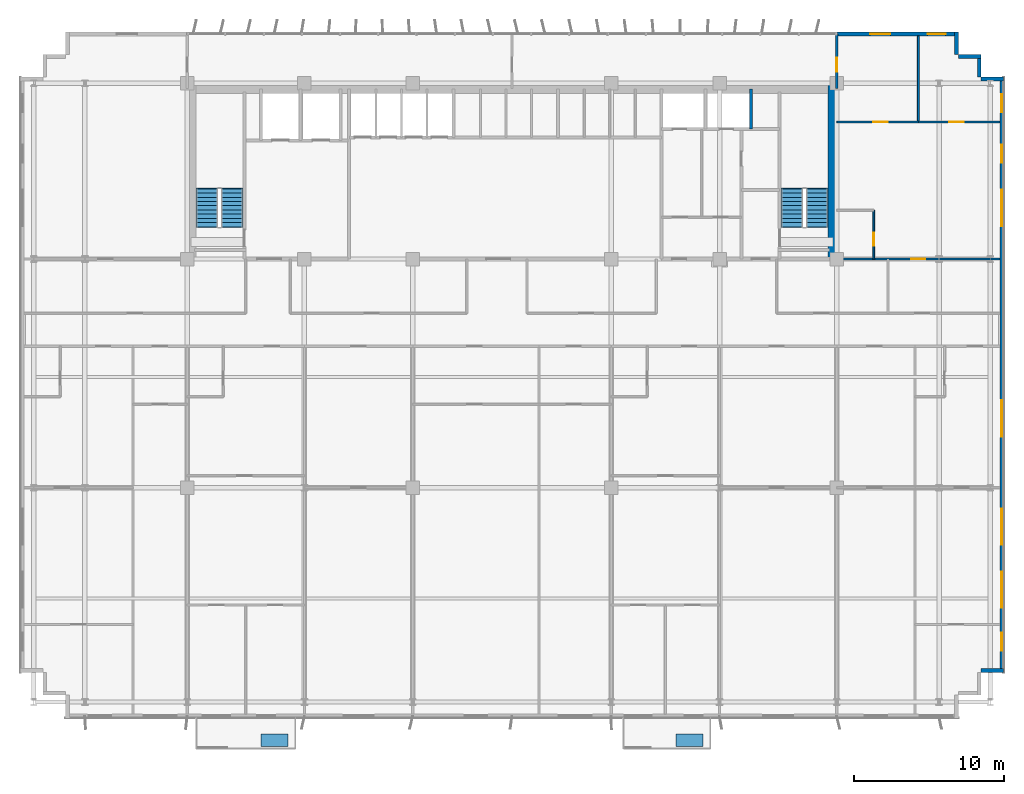
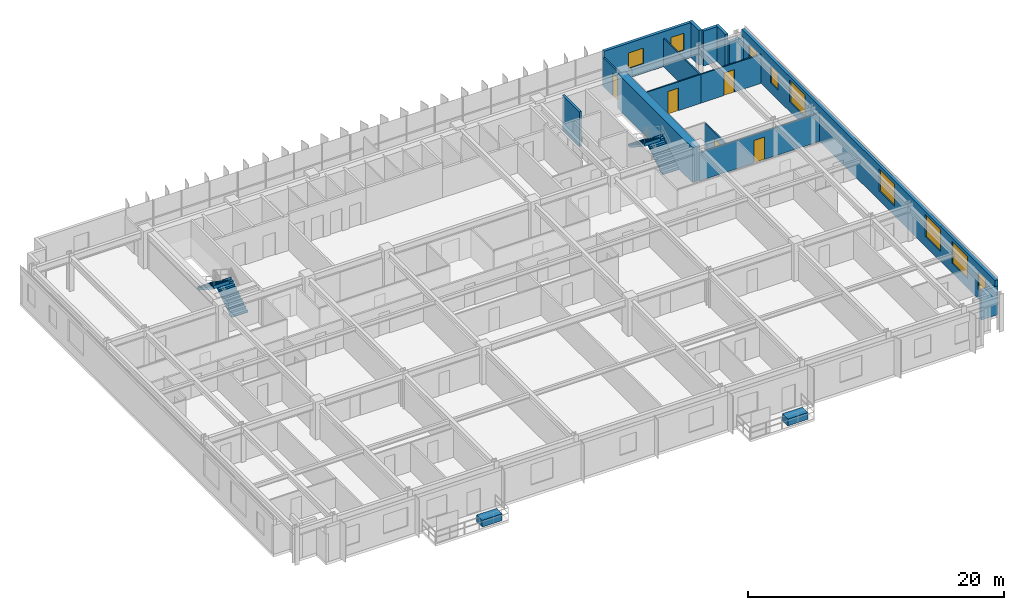
# One storey, part 19 of 22: 15 walls, 9 windows, 5 doors, 4 stair flights, 2 discrete accessories, 14 openings, 2 elements without a shape of their own.
"""IFC4 building model written with IfcOpenShell, lengths in metres."""

from ifc_helpers import new_model, si_unit, direction, frame, frame_2d, origin, origin_2d, place, context, subcontext, project, spatial, polyline, rectangle, outline, extrude, source, transform, mapped, material, layer, layer_set, type_object, element, fill, aggregate, save


model = new_model("IFC4")

# Units and contexts
model_context = context("Model", 3, precision=1e-05, world=origin(), true_north=direction((0.0, 1.0)))
body_context = subcontext(model_context, "Body", "Model", "MODEL_VIEW")
ifc_project = project(units=[si_unit("LENGTHUNIT", "METRE"), si_unit("AREAUNIT", "SQUARE_METRE"), si_unit("VOLUMEUNIT", "CUBIC_METRE"), si_unit("PLANEANGLEUNIT", "RADIAN"), si_unit("MASSUNIT", "GRAM", prefix="KILO")], contexts=[model_context])

# Site, building, storey
site_placement = place(None, origin())
site = spatial("IfcSite", under=ifc_project, at=site_placement, CompositionType="ELEMENT")
building_placement = place(site_placement, origin())
building = spatial("IfcBuilding", under=site, at=building_placement, Name="Trelvane Seafront Commons", CompositionType="ELEMENT")
storey_placement = place(building_placement, frame((0.0, 0.0, 45.10009765625)))
storey = spatial("IfcBuildingStorey", under=building, at=storey_placement, Name="L11", CompositionType="ELEMENT", Elevation=45.10009765625)

# Wall, openings, windows
ifc_material_1 = material(Name="Precast concrete C40/50", Category="concrete")
ifc_layer_1 = layer(ifc_material_1, 0.260009765625, Name="ARCH-WALL-EXT260")
ifc_layer_set_1 = layer_set([ifc_layer_1], Name="Precast concrete C40/50")
wall_type_1 = type_object("IfcWallType", Name="ARCH-WALL-EXT260", PredefinedType="SOLIDWALL", material=ifc_layer_set_1)
wall_1_placement = place(storey_placement, frame((58.800048828125, 48.3701171875, 0.0), z_axis=(0.0, 0.0, 1.0), x_axis=(1.0, 0.0, 0.0)))
wall_1 = element("IfcWall", 1, at=wall_1_placement, inside=storey, type_object=wall_type_1, Name="EW-L11-NE-0172", PredefinedType="SOLIDWALL", context=body_context, shape_type="SweptSolid", body=[
    extrude(rectangle(XDim=8.0, YDim=0.260009765625, at=frame_2d((4.0, 0.0))), origin(), (0.0, 0.0, 1.0), 3.33984375),
])
opening_1_placement = place(wall_1_placement, frame((2.208984375, 0.0, 0.89990234375)))
opening_1 = element("IfcOpeningElement", 2, at=opening_1_placement, cuts=wall_1, Name="Opening W09", PredefinedType="OPENING", context=body_context, shape_type="SweptSolid", body=[
    extrude(rectangle(XDim=1.35009765625, YDim=1.5, at=frame_2d((0.675048828125, 0.75))), frame((0.0, 0.139892578125, 0.0), z_axis=(0.0, -1.0, 0.0), x_axis=(1.0, 0.0, 0.0)), (0.0, 0.0, 1.0), 0.280029296875),
])
opening_2_placement = place(wall_1_placement, frame((6.032958984375, 0.0, 0.89990234375)))
opening_2 = element("IfcOpeningElement", 3, at=opening_2_placement, cuts=wall_1, Name="Opening W05", PredefinedType="OPENING", context=body_context, shape_type="SweptSolid", body=[
    extrude(rectangle(XDim=1.199951171875, YDim=1.64990234375, at=frame_2d((0.60009765625, 0.824951171875))), frame((0.0, 0.139892578125, 0.0), z_axis=(0.0, -1.0, 0.0), x_axis=(1.0, 0.0, 0.0)), (0.0, 0.0, 1.0), 0.280029296875),
])
ifc_material_2 = material(Name="Low-E coastal double glazing", Category="glass")
window_type_1 = type_object("IfcWindowType", Name="ARCH-WIN-W09", PartitioningType="SINGLE_PANEL", PredefinedType="WINDOW", material=ifc_material_2)
shared_shape_1 = source(origin(), body_context, "Body", "SweptSolid", [
    extrude(rectangle(XDim=1.35009765625, YDim=1.5, at=frame_2d((0.675048828125, 0.75))), frame((0.0, 0.030029296875, 0.0), z_axis=(0.0, -1.0, 0.0), x_axis=(1.0, 0.0, 0.0)), (0.0, 0.0, 1.0), 0.06005859375),
])
window_1_placement = place(opening_1_placement, origin())
window_1 = element("IfcWindow", 4, at=window_1_placement, inside=storey, type_object=window_type_1, Name="WIN-L11-00211", OverallHeight=1.5, OverallWidth=1.35009765625, PartitioningType="SINGLE_PANEL", PredefinedType="WINDOW", context=body_context, shape_type="MappedRepresentation", body=[
    mapped(shared_shape_1, transform((0.0, 0.0, 0.0), x_axis=(1.0, 0.0, 0.0), y_axis=(0.0, 1.0, 0.0), z_axis=(0.0, 0.0, 1.0), scale=1.0)),
])
fill(opening_1, window_1)
window_type_2 = type_object("IfcWindowType", Name="ARCH-WIN-W05", PartitioningType="SINGLE_PANEL", PredefinedType="WINDOW", material=ifc_material_2)
shared_shape_2 = source(origin(), body_context, "Body", "SweptSolid", [
    extrude(rectangle(XDim=1.199951171875, YDim=1.64990234375, at=frame_2d((0.60009765625, 0.824951171875))), frame((0.0, 0.030029296875, 0.0), z_axis=(0.0, -1.0, 0.0), x_axis=(1.0, 0.0, 0.0)), (0.0, 0.0, 1.0), 0.06005859375),
])
window_2_placement = place(opening_2_placement, origin())
window_2 = element("IfcWindow", 5, at=window_2_placement, inside=storey, type_object=window_type_2, Name="WIN-L11-00212", OverallHeight=1.64990234375, OverallWidth=1.199951171875, PartitioningType="SINGLE_PANEL", PredefinedType="WINDOW", context=body_context, shape_type="MappedRepresentation", body=[
    mapped(shared_shape_2, transform((0.0, 0.0, 0.0), x_axis=(1.0, 0.0, 0.0), y_axis=(0.0, 1.0, 0.0), z_axis=(0.0, 0.0, 1.0), scale=1.0)),
])
fill(opening_2, window_2)

# Walls
for number, where, z_axis, x_axis, name in (
    (6, (66.77001953125, 48.5, 0.0), (0.0, 0.0, 1.0), (0.0, -1.0, 0.0), "EW-L11-00181"),
    (7, (66.89990234375, 46.8701171875, 0.0), (0.0, 0.0, 1.0), (1.0, 0.0, 0.0), "EW-L11-00182"),
    (8, (68.27001953125, 47.0, 0.0), (0.0, 0.0, 1.0), (0.0, -1.0, 0.0), "EW-L11-00183"),
):
    element("IfcWall", number, at=place(storey_placement, frame(where, z_axis=z_axis, x_axis=x_axis)), inside=storey, type_object=wall_type_1, Name=name, PredefinedType="SOLIDWALL", context=body_context, shape_type="SweptSolid", body=[
        extrude(rectangle(XDim=1.5, YDim=0.260009765625, at=frame_2d((0.75, 0.0))), origin(), (0.0, 0.0, 1.0), 3.33984375),
    ])
wall_2_placement = place(storey_placement, frame((68.39990234375, 45.3701171875, 0.0), z_axis=(0.0, 0.0, 1.0), x_axis=(1.0, 0.0, 0.0)))
element("IfcWall", 9, at=wall_2_placement, inside=storey, type_object=wall_type_1, Name="EW-L11-00184", PredefinedType="SOLIDWALL", context=body_context, shape_type="SweptSolid", body=[
    extrude(rectangle(XDim=1.5, YDim=0.260009765625, at=frame_2d((0.75, 0.0))), origin(), (0.0, 0.0, 1.0), 2.68994140625),
])

# Wall, openings, windows
wall_3_placement = place(storey_placement, frame((69.77001953125, 45.5, 0.0), z_axis=(0.0, 0.0, 1.0), x_axis=(0.0, -1.0, 0.0)))
wall_3 = element("IfcWall", 10, at=wall_3_placement, inside=storey, type_object=wall_type_1, Name="EW-L11-00185", PredefinedType="SOLIDWALL", context=body_context, shape_type="SweptSolid", body=[
    extrude(rectangle(XDim=39.60009765625, YDim=0.260009765625, at=frame_2d((19.800048828125, 0.0))), origin(), (0.0, 0.0, 1.0), 3.33984375),
])
opening_3_placement = place(wall_3_placement, frame((36.949951171875, 0.0, 0.919921875)))
opening_3 = element("IfcOpeningElement", 11, at=opening_3_placement, cuts=wall_3, Name="Opening W05", PredefinedType="OPENING", context=body_context, shape_type="SweptSolid", body=[
    extrude(rectangle(XDim=1.199951171875, YDim=1.64990234375, at=frame_2d((0.60009765625, 0.824951171875))), frame((0.0, 0.139892578125, 0.0), z_axis=(0.0, -1.0, 0.0), x_axis=(1.0, 0.0, 0.0)), (0.0, 0.0, 1.0), 0.280029296875),
])
opening_4_placement = place(wall_3_placement, frame((32.89990234375, 0.0, 0.919921875)))
opening_4 = element("IfcOpeningElement", 12, at=opening_4_placement, cuts=wall_3, Name="Opening W08", PredefinedType="OPENING", context=body_context, shape_type="SweptSolid", body=[
    extrude(rectangle(XDim=2.39990234375, YDim=2.10009765625, at=frame_2d((1.199951171875, 1.050048828125))), frame((0.0, 0.139892578125, 0.0), z_axis=(0.0, -1.0, 0.0), x_axis=(1.0, 0.0, 0.0)), (0.0, 0.0, 1.0), 0.280029296875),
])
opening_5_placement = place(wall_3_placement, frame((28.699951171875, 0.0, 0.919921875)))
opening_5 = element("IfcOpeningElement", 13, at=opening_5_placement, cuts=wall_3, Name="Opening W08", PredefinedType="OPENING", context=body_context, shape_type="SweptSolid", body=[
    extrude(rectangle(XDim=2.39990234375, YDim=2.10009765625, at=frame_2d((1.199951171875, 1.050048828125))), frame((0.0, 0.139892578125, 0.0), z_axis=(0.0, -1.0, 0.0), x_axis=(1.0, 0.0, 0.0)), (0.0, 0.0, 1.0), 0.280029296875),
])
opening_6_placement = place(wall_3_placement, frame((21.5, 0.0, 0.919921875)))
opening_6 = element("IfcOpeningElement", 14, at=opening_6_placement, cuts=wall_3, Name="Opening W08", PredefinedType="OPENING", context=body_context, shape_type="SweptSolid", body=[
    extrude(rectangle(XDim=2.39990234375, YDim=2.10009765625, at=frame_2d((1.199951171875, 1.050048828125))), frame((0.0, 0.139892578125, 0.0), z_axis=(0.0, -1.0, 0.0), x_axis=(1.0, 0.0, 0.0)), (0.0, 0.0, 1.0), 0.280029296875),
])
opening_7_placement = place(wall_3_placement, frame((7.5, 0.0, 0.919921875)))
opening_7 = element("IfcOpeningElement", 15, at=opening_7_placement, cuts=wall_3, Name="Opening W08", PredefinedType="OPENING", context=body_context, shape_type="SweptSolid", body=[
    extrude(rectangle(XDim=2.39990234375, YDim=2.10009765625, at=frame_2d((1.199951171875, 1.050048828125))), frame((0.0, 0.139892578125, 0.0), z_axis=(0.0, -1.0, 0.0), x_axis=(1.0, 0.0, 0.0)), (0.0, 0.0, 1.0), 0.280029296875),
])
opening_8_placement = place(wall_3_placement, frame((4.5, 0.0, 0.919921875)))
opening_8 = element("IfcOpeningElement", 16, at=opening_8_placement, cuts=wall_3, Name="Opening W05", PredefinedType="OPENING", context=body_context, shape_type="SweptSolid", body=[
    extrude(rectangle(XDim=1.199951171875, YDim=1.64990234375, at=frame_2d((0.60009765625, 0.824951171875))), frame((0.0, 0.139892578125, 0.0), z_axis=(0.0, -1.0, 0.0), x_axis=(1.0, 0.0, 0.0)), (0.0, 0.0, 1.0), 0.280029296875),
])
opening_9_placement = place(wall_3_placement, frame((1.14990234375, 0.0, 0.919921875)))
opening_9 = element("IfcOpeningElement", 17, at=opening_9_placement, cuts=wall_3, Name="Opening W05", PredefinedType="OPENING", context=body_context, shape_type="SweptSolid", body=[
    extrude(rectangle(XDim=1.199951171875, YDim=1.64990234375, at=frame_2d((0.60009765625, 0.824951171875))), frame((0.0, 0.139892578125, 0.0), z_axis=(0.0, -1.0, 0.0), x_axis=(1.0, 0.0, 0.0)), (0.0, 0.0, 1.0), 0.280029296875),
])
window_type_3 = type_object("IfcWindowType", Name="ARCH-WIN-W08", PartitioningType="SINGLE_PANEL", PredefinedType="WINDOW", material=ifc_material_2)
shared_shape_3 = source(origin(), body_context, "Body", "SweptSolid", [
    extrude(rectangle(XDim=2.39990234375, YDim=2.10009765625, at=frame_2d((1.199951171875, 1.050048828125))), frame((0.0, 0.030029296875, 0.0), z_axis=(0.0, -1.0, 0.0), x_axis=(1.0, 0.0, 0.0)), (0.0, 0.0, 1.0), 0.06005859375),
])
window_3_placement = place(opening_4_placement, origin())
window_3 = element("IfcWindow", 18, at=window_3_placement, inside=storey, type_object=window_type_3, Name="WIN-L11-EW-00220", OverallHeight=2.10009765625, OverallWidth=2.39990234375, PartitioningType="SINGLE_PANEL", PredefinedType="WINDOW", context=body_context, shape_type="MappedRepresentation", body=[
    mapped(shared_shape_3, transform((0.0, 0.0, 0.0), x_axis=(1.0, 0.0, 0.0), y_axis=(0.0, 1.0, 0.0), z_axis=(0.0, 0.0, 1.0), scale=1.0)),
])
fill(opening_4, window_3)
window_4_placement = place(opening_5_placement, origin())
window_4 = element("IfcWindow", 19, at=window_4_placement, inside=storey, type_object=window_type_3, Name="WIN-L11-EW-00221", OverallHeight=2.10009765625, OverallWidth=2.39990234375, PartitioningType="SINGLE_PANEL", PredefinedType="WINDOW", context=body_context, shape_type="MappedRepresentation", body=[
    mapped(shared_shape_3, transform((0.0, 0.0, 0.0), x_axis=(1.0, 0.0, 0.0), y_axis=(0.0, 1.0, 0.0), z_axis=(0.0, 0.0, 1.0), scale=1.0)),
])
fill(opening_5, window_4)
window_5_placement = place(opening_6_placement, origin())
window_5 = element("IfcWindow", 20, at=window_5_placement, inside=storey, type_object=window_type_3, Name="WIN-L11-EW-00222", OverallHeight=2.10009765625, OverallWidth=2.39990234375, PartitioningType="SINGLE_PANEL", PredefinedType="WINDOW", context=body_context, shape_type="MappedRepresentation", body=[
    mapped(shared_shape_3, transform((0.0, 0.0, 0.0), x_axis=(1.0, 0.0, 0.0), y_axis=(0.0, 1.0, 0.0), z_axis=(0.0, 0.0, 1.0), scale=1.0)),
])
fill(opening_6, window_5)
window_6_placement = place(opening_7_placement, origin())
window_6 = element("IfcWindow", 21, at=window_6_placement, inside=storey, type_object=window_type_3, Name="WIN-L11-EW-00223", OverallHeight=2.10009765625, OverallWidth=2.39990234375, PartitioningType="SINGLE_PANEL", PredefinedType="WINDOW", context=body_context, shape_type="MappedRepresentation", body=[
    mapped(shared_shape_3, transform((0.0, 0.0, 0.0), x_axis=(1.0, 0.0, 0.0), y_axis=(0.0, 1.0, 0.0), z_axis=(0.0, 0.0, 1.0), scale=1.0)),
])
fill(opening_7, window_6)
window_7_placement = place(opening_3_placement, origin())
window_7 = element("IfcWindow", 22, at=window_7_placement, inside=storey, type_object=window_type_2, Name="WIN-L11-EW-00219", OverallHeight=1.64990234375, OverallWidth=1.199951171875, PartitioningType="SINGLE_PANEL", PredefinedType="WINDOW", context=body_context, shape_type="MappedRepresentation", body=[
    mapped(shared_shape_2, transform((0.0, 0.0, 0.0), x_axis=(1.0, 0.0, 0.0), y_axis=(0.0, 1.0, 0.0), z_axis=(0.0, 0.0, 1.0), scale=1.0)),
])
fill(opening_3, window_7)
window_8_placement = place(opening_8_placement, origin())
window_8 = element("IfcWindow", 23, at=window_8_placement, inside=storey, type_object=window_type_2, Name="WIN-L11-EW-00224", OverallHeight=1.64990234375, OverallWidth=1.199951171875, PartitioningType="SINGLE_PANEL", PredefinedType="WINDOW", context=body_context, shape_type="MappedRepresentation", body=[
    mapped(shared_shape_2, transform((0.0, 0.0, 0.0), x_axis=(1.0, 0.0, 0.0), y_axis=(0.0, 1.0, 0.0), z_axis=(0.0, 0.0, 1.0), scale=1.0)),
])
fill(opening_8, window_8)
window_9_placement = place(opening_9_placement, origin())
window_9 = element("IfcWindow", 24, at=window_9_placement, inside=storey, type_object=window_type_2, Name="WIN-L11-EW-00225", OverallHeight=1.64990234375, OverallWidth=1.199951171875, PartitioningType="SINGLE_PANEL", PredefinedType="WINDOW", context=body_context, shape_type="MappedRepresentation", body=[
    mapped(shared_shape_2, transform((0.0, 0.0, 0.0), x_axis=(1.0, 0.0, 0.0), y_axis=(0.0, 1.0, 0.0), z_axis=(0.0, 0.0, 1.0), scale=1.0)),
])
fill(opening_9, window_9)

# Wall
wall_4_placement = place(storey_placement, frame((69.89990234375, 6.030029296875, 0.0), z_axis=(0.0, 0.0, 1.0), x_axis=(-1.0, 0.0, 0.0)))
element("IfcWall", 25, at=wall_4_placement, inside=storey, type_object=wall_type_1, Name="EW-L11-00186", PredefinedType="SOLIDWALL", context=body_context, shape_type="SweptSolid", body=[
    extrude(rectangle(XDim=1.5, YDim=0.260009765625, at=frame_2d((0.75, 0.0))), origin(), (0.0, 0.0, 1.0), 2.751953125),
])

# Wall, opening, door
ifc_material_3 = material(Name="Gypsum Drywall Acoustic Partition")
ifc_layer_2 = layer(ifc_material_3, 0.1201171875, Name="ARCH-WALL-PART120")
ifc_layer_set_2 = layer_set([ifc_layer_2], Name="Gypsum Drywall Acoustic Partition")
wall_type_2 = type_object("IfcWallType", Name="ARCH-WALL-PART120", PredefinedType="PARTITIONING", material=ifc_layer_set_2)
wall_5_placement = place(storey_placement, frame((61.25, 33.39990234375, 0.0), z_axis=(0.0, 0.0, 1.0), x_axis=(0.0, 1.0, 0.0)))
wall_5 = element("IfcWall", 26, at=wall_5_placement, inside=storey, type_object=wall_type_2, Name="W-L11-NE-BE-050", PredefinedType="PARTITIONING", context=body_context, shape_type="SweptSolid", body=[
    extrude(rectangle(XDim=3.25, YDim=0.1201171875, at=frame_2d((1.625, 0.0))), origin(), (0.0, 0.0, 1.0), 2.68994140625),
])
opening_10_placement = place(wall_5_placement, frame((0.89990234375, 0.0, 0.0)))
opening_10 = element("IfcOpeningElement", 27, at=opening_10_placement, cuts=wall_5, Name="Opening D-L11-24", PredefinedType="OPENING", context=body_context, shape_type="SweptSolid", body=[
    extrude(rectangle(XDim=0.85009765625, YDim=2.10009765625, at=frame_2d((0.425048828125, 1.050048828125))), frame((0.0, 0.070068359375, 0.0), z_axis=(0.0, -1.0, 0.0), x_axis=(1.0, 0.0, 0.0)), (0.0, 0.0, 1.0), 0.14013671875),
])
ifc_material_4 = material(Name="Acoustic timber door leaf", Category="wood")
door_type_1 = type_object("IfcDoorType", Name="ARCH-DR-INT850", OperationType="NOTDEFINED", PredefinedType="DOOR", material=ifc_material_4)
shared_shape_4 = source(origin(), body_context, "Body", "SweptSolid", [
    extrude(rectangle(XDim=0.85009765625, YDim=2.10009765625, at=frame_2d((0.425048828125, 1.050048828125))), frame((0.0, 0.02490234375, 0.0), z_axis=(0.0, -1.0, 0.0), x_axis=(1.0, 0.0, 0.0)), (0.0, 0.0, 1.0), 0.050048828125),
])
door_1_placement = place(opening_10_placement, origin())
door_1 = element("IfcDoor", 28, at=door_1_placement, inside=storey, type_object=door_type_1, Name="L11 Door 24", OperationType="SINGLE_SWING_RIGHT", OverallHeight=2.10009765625, OverallWidth=0.85009765625, PredefinedType="DOOR", context=body_context, shape_type="MappedRepresentation", body=[
    mapped(shared_shape_4, transform((0.0, 0.0, 0.0), x_axis=(1.0, 0.0, 0.0), y_axis=(0.0, 1.0, 0.0), z_axis=(0.0, 0.0, 1.0), scale=1.0)),
])
fill(opening_10, door_1)

wall_6_placement = place(storey_placement, frame((58.800048828125, 42.52001953125, 0.0), z_axis=(0.0, 0.0, 1.0), x_axis=(1.0, 0.0, 0.0)))
wall_6 = element("IfcWall", 29, at=wall_6_placement, inside=storey, type_object=wall_type_2, Name="W-L11-NE-KB1-052", PredefinedType="PARTITIONING", context=body_context, shape_type="SweptSolid", body=[
    extrude(rectangle(XDim=5.425048828125, YDim=0.1201171875, at=frame_2d((2.71240234375, 0.0))), origin(), (0.0, 0.0, 1.0), 2.751953125),
])
opening_11_placement = place(wall_6_placement, frame((2.423095703125, 0.0, 0.0)))
opening_11 = element("IfcOpeningElement", 30, at=opening_11_placement, cuts=wall_6, Name="Opening D-L11-25", PredefinedType="OPENING", context=body_context, shape_type="SweptSolid", body=[
    extrude(rectangle(XDim=0.949951171875, YDim=2.14990234375, at=frame_2d((0.47509765625, 1.074951171875))), frame((0.0, 0.070068359375, 0.0), z_axis=(0.0, -1.0, 0.0), x_axis=(1.0, 0.0, 0.0)), (0.0, 0.0, 1.0), 0.14013671875),
])
door_type_2 = type_object("IfcDoorType", Name="ARCH-DR-INT950", OperationType="NOTDEFINED", PredefinedType="DOOR", material=ifc_material_4)
shared_shape_5 = source(origin(), body_context, "Body", "SweptSolid", [
    extrude(rectangle(XDim=0.949951171875, YDim=2.14990234375, at=frame_2d((0.47509765625, 1.074951171875))), frame((0.0, 0.02490234375, 0.0), z_axis=(0.0, -1.0, 0.0), x_axis=(1.0, 0.0, 0.0)), (0.0, 0.0, 1.0), 0.050048828125),
])
door_2_placement = place(opening_11_placement, origin())
door_2 = element("IfcDoor", 31, at=door_2_placement, inside=storey, type_object=door_type_2, Name="L11 Door 25", OperationType="SINGLE_SWING_LEFT", OverallHeight=2.14990234375, OverallWidth=0.949951171875, PredefinedType="DOOR", context=body_context, shape_type="MappedRepresentation", body=[
    mapped(shared_shape_5, transform((0.0, 0.0, 0.0), x_axis=(1.0, 0.0, 0.0), y_axis=(0.0, 1.0, 0.0), z_axis=(0.0, 0.0, 1.0), scale=1.0)),
])
fill(opening_11, door_2)

wall_7_placement = place(storey_placement, frame((64.22509765625, 42.52001953125, 0.0), z_axis=(0.0, 0.0, 1.0), x_axis=(1.0, 0.0, 0.0)))
wall_7 = element("IfcWall", 32, at=wall_7_placement, inside=storey, type_object=wall_type_2, Name="W-L11-NE-KB2-053", PredefinedType="PARTITIONING", context=body_context, shape_type="SweptSolid", body=[
    extrude(rectangle(XDim=5.4248046875, YDim=0.1201171875, at=frame_2d((2.71240234375, 0.0))), origin(), (0.0, 0.0, 1.0), 2.751953125),
])
opening_12_placement = place(wall_7_placement, frame((2.052001953125, 0.0, 0.0)))
opening_12 = element("IfcOpeningElement", 33, at=opening_12_placement, cuts=wall_7, Name="Opening D-L11-26", PredefinedType="OPENING", context=body_context, shape_type="SweptSolid", body=[
    extrude(rectangle(XDim=0.949951171875, YDim=2.14990234375, at=frame_2d((0.47509765625, 1.074951171875))), frame((0.0, 0.070068359375, 0.0), z_axis=(0.0, -1.0, 0.0), x_axis=(1.0, 0.0, 0.0)), (0.0, 0.0, 1.0), 0.14013671875),
])
door_3_placement = place(opening_12_placement, origin())
door_3 = element("IfcDoor", 34, at=door_3_placement, inside=storey, type_object=door_type_2, Name="L11 Door 26", OperationType="SINGLE_SWING_RIGHT", OverallHeight=2.14990234375, OverallWidth=0.949951171875, PredefinedType="DOOR", context=body_context, shape_type="MappedRepresentation", body=[
    mapped(shared_shape_5, transform((0.0, 0.0, 0.0), x_axis=(1.0, 0.0, 0.0), y_axis=(0.0, 1.0, 0.0), z_axis=(0.0, 0.0, 1.0), scale=1.0)),
])
fill(opening_12, door_3)

# Wall
wall_8_placement = place(storey_placement, frame((64.22509765625, 42.52001953125, 0.0), z_axis=(0.0, 0.0, 1.0), x_axis=(0.0, 1.0, 0.0)))
element("IfcWall", 35, at=wall_8_placement, inside=storey, type_object=wall_type_2, Name="W-L11-NE-KBDV-054", PredefinedType="PARTITIONING", context=body_context, shape_type="SweptSolid", body=[
    extrude(rectangle(XDim=5.719970703125, YDim=0.1201171875, at=frame_2d((2.85986328125, 0.0))), origin(), (0.0, 0.0, 1.0), 2.68994140625),
])

# Wall, opening, door
ifc_layer_3 = layer(ifc_material_3, 0.14990234375, Name="ARCH-WALL-PART150")
ifc_layer_set_3 = layer_set([ifc_layer_3], Name="Gypsum Drywall Acoustic Partition")
wall_type_3 = type_object("IfcWallType", Name="ARCH-WALL-PART150", PredefinedType="PARTITIONING", material=ifc_layer_set_3)
wall_9_placement = place(storey_placement, frame((58.800048828125, 33.39990234375, 0.0), z_axis=(0.0, 0.0, 1.0), x_axis=(1.0, 0.0, 0.0)))
wall_9 = element("IfcWall", 36, at=wall_9_placement, inside=storey, type_object=wall_type_3, Name="W-L11-NE-ENT-055", PredefinedType="PARTITIONING", context=body_context, shape_type="SweptSolid", body=[
    extrude(rectangle(XDim=10.849853515625, YDim=0.14990234375, at=frame_2d((5.4248046875, 0.0))), origin(), (0.0, 0.0, 1.0), 2.68994140625),
])
opening_13_placement = place(wall_9_placement, frame((4.93310546875, 0.0, 0.0)))
opening_13 = element("IfcOpeningElement", 37, at=opening_13_placement, cuts=wall_9, Name="Opening FD-L11-27", PredefinedType="OPENING", context=body_context, shape_type="SweptSolid", body=[
    extrude(rectangle(XDim=0.949951171875, YDim=2.14990234375, at=frame_2d((0.47509765625, 1.074951171875))), frame((0.0, 0.0849609375, 0.0), z_axis=(0.0, -1.0, 0.0), x_axis=(1.0, 0.0, 0.0)), (0.0, 0.0, 1.0), 0.169921875),
])
ifc_material_5 = material(Name="Powder-coated aluminium frame", Category="aluminium")
door_type_3 = type_object("IfcDoorType", Name="ARCH-DR-FD60-950", OperationType="NOTDEFINED", PredefinedType="DOOR", material=ifc_material_5)
door_4_placement = place(opening_13_placement, origin())
door_4 = element("IfcDoor", 38, at=door_4_placement, inside=storey, type_object=door_type_3, Name="L11 NE Flat Entrance Door", OperationType="SINGLE_SWING_LEFT", OverallHeight=2.14990234375, OverallWidth=0.949951171875, PredefinedType="DOOR", context=body_context, shape_type="MappedRepresentation", body=[
    mapped(shared_shape_5, transform((0.0, 0.0, 0.0), x_axis=(1.0, 0.0, 0.0), y_axis=(0.0, 1.0, 0.0), z_axis=(0.0, 0.0, 1.0), scale=1.0)),
])
fill(opening_13, door_4)

wall_10_placement = place(storey_placement, frame((58.800048828125, 44.75, 0.0), z_axis=(0.0, 0.0, 1.0), x_axis=(0.0, 1.0, 0.0)))
wall_10 = element("IfcWall", 39, at=wall_10_placement, inside=storey, type_object=wall_type_3, Name="W-L11-N-LINK-E-058", PredefinedType="PARTITIONING", context=body_context, shape_type="SweptSolid", body=[
    extrude(rectangle(XDim=3.610107421875, YDim=0.14990234375, at=frame_2d((1.80517578125, 0.0))), origin(), (0.0, 0.0, 1.0), 2.751953125),
])
opening_14_placement = place(wall_10_placement, frame((1.10009765625, 0.0, 0.0)))
opening_14 = element("IfcOpeningElement", 40, at=opening_14_placement, cuts=wall_10, Name="Opening FD-L11-30", PredefinedType="OPENING", context=body_context, shape_type="SweptSolid", body=[
    extrude(rectangle(XDim=0.949951171875, YDim=2.14990234375, at=frame_2d((0.47509765625, 1.074951171875))), frame((0.0, 0.0849609375, 0.0), z_axis=(0.0, -1.0, 0.0), x_axis=(1.0, 0.0, 0.0)), (0.0, 0.0, 1.0), 0.169921875),
])
door_5_placement = place(opening_14_placement, origin())
door_5 = element("IfcDoor", 41, at=door_5_placement, inside=storey, type_object=door_type_3, Name="L11 Door 30", OperationType="SINGLE_SWING_RIGHT", OverallHeight=2.14990234375, OverallWidth=0.949951171875, PredefinedType="DOOR", context=body_context, shape_type="MappedRepresentation", body=[
    mapped(shared_shape_5, transform((0.0, 0.0, 0.0), x_axis=(1.0, 0.0, 0.0), y_axis=(0.0, 1.0, 0.0), z_axis=(0.0, 0.0, 1.0), scale=1.0)),
])
fill(opening_14, door_5)

# Walls
ifc_material_6 = material(Name="Concrete C40/50", Category="concrete")
ifc_layer_4 = layer(ifc_material_6, 0.199951171875, Name="ARCH-WALL-SHAFT200")
ifc_layer_set_4 = layer_set([ifc_layer_4], Name="Concrete C40/50")
wall_type_4 = type_object("IfcWallType", Name="ARCH-WALL-SHAFT200", PredefinedType="SOLIDWALL", material=ifc_layer_set_4)
wall_11_placement = place(storey_placement, frame((53.10009765625, 42.050048828125, 0.0), z_axis=(0.0, 0.0, 1.0), x_axis=(0.0, 1.0, 0.0)))
element("IfcWall", 42, at=wall_11_placement, inside=storey, type_object=wall_type_4, Name="W-L11-RSR-E-032", PredefinedType="SOLIDWALL", context=body_context, shape_type="SweptSolid", body=[
    extrude(rectangle(XDim=2.64990234375, YDim=0.199951171875, at=frame_2d((1.324951171875, 0.0))), origin(), (0.0, 0.0, 1.0), 3.33984375),
])
ifc_material_7 = material(Name="Concrete C60/75", Category="concrete")
ifc_layer_5 = layer(ifc_material_7, 0.699951171875, Name="STR-WALL-CORE700")
ifc_layer_set_5 = layer_set([ifc_layer_5], Name="Concrete C60/75")
wall_type_5 = type_object("IfcWallType", Name="STR-WALL-CORE700", PredefinedType="SHEAR", material=ifc_layer_set_5)
wall_12_placement = place(storey_placement, frame((58.550048828125, 33.39990234375, 0.0), z_axis=(0.0, 0.0, 1.0), x_axis=(0.0, 1.0, 0.0)))
element("IfcWall", 43, at=wall_12_placement, inside=storey, type_object=wall_type_5, Name="W-L11-CE-END-003", PredefinedType="SHEAR", context=body_context, shape_type="SweptSolid", body=[
    extrude(rectangle(XDim=11.7001953125, YDim=0.699951171875, at=frame_2d((5.85009765625, 0.0))), origin(), (0.0, 0.0, 1.0), 3.33984375),
])

# Stair, stair flights
stair_type_1 = type_object("IfcStairType", Name="ARCH-STR-ST-1-R20-180", PredefinedType="HALF_TURN_STAIR", material=ifc_material_6)
stair_1_placement = place(storey_placement, origin())
stair_1 = element("IfcStair", 44, at=stair_1_placement, inside=storey, type_object=stair_type_1, Name="L11 West Protected Firefighting Exit Stair ST-1", PredefinedType="HALF_TURN_STAIR")
stair_flight_type_1 = type_object("IfcStairFlightType", Name="ARCH-FLG-ST-1-R20-180", PredefinedType="STRAIGHT", material=ifc_material_6)
shared_shape_6 = source(origin(), body_context, "Body", "SweptSolid", [
    extrude(outline(polyline([(-0.050048828125, -0.02001953125), (-0.050048828125, 0.0), (0.0, 0.0), (0.0, 0.179931640625), (0.280029296875, 0.179931640625), (0.280029296875, 0.360107421875), (0.56005859375, 0.360107421875), (0.56005859375, 0.5400390625), (0.840087890625, 0.5400390625), (0.840087890625, 0.719970703125), (1.1201171875, 0.719970703125), (1.1201171875, 0.89990234375), (1.39990234375, 0.89990234375), (1.39990234375, 1.080078125), (1.679931640625, 1.080078125), (1.679931640625, 1.260009765625), (1.9599609375, 1.260009765625), (1.9599609375, 1.43994140625), (2.239990234375, 1.43994140625), (2.239990234375, 1.6201171875), (2.52001953125, 1.6201171875), (2.52001953125, 1.800048828125), (2.570068359375, 1.800048828125), (2.570068359375, 1.650146484375), (2.52001953125, 1.44189453125), (0.277099609375, -0.02001953125), (-0.050048828125, -0.02001953125)])), frame((0.0, 0.72509765625, 0.0), z_axis=(0.0, -1.0, 0.0), x_axis=(1.0, 0.0, 0.0)), (0.0, 0.0, 1.0), 1.449951171875),
])
stair_flight_1_placement = place(storey_placement, frame((18.574951171875, 35.550048828125, 0.0), z_axis=(0.0, 0.0, 1.0), x_axis=(0.0, 1.0, 0.0)))
stair_flight_1 = element("IfcStairFlight", 45, at=stair_flight_1_placement, type_object=stair_flight_type_1, Name="ST-1 flight 1", NumberOfRisers=10, NumberOfTreads=9, PredefinedType="STRAIGHT", RiserHeight=0.18, TreadLength=0.28, context=body_context, shape_type="MappedRepresentation", body=[
    mapped(shared_shape_6, transform((0.0, 0.0, 0.0), x_axis=(1.0, 0.0, 0.0), y_axis=(0.0, 1.0, 0.0), z_axis=(0.0, 0.0, 1.0), scale=1.0)),
])
stair_flight_2_placement = place(storey_placement, frame((16.925048828125, 38.070068359375, 1.7998046875), z_axis=(0.0, 0.0, 1.0), x_axis=(0.0, -1.0, 0.0)))
stair_flight_2 = element("IfcStairFlight", 46, at=stair_flight_2_placement, type_object=stair_flight_type_1, Name="ST-1 flight 2", NumberOfRisers=10, NumberOfTreads=9, PredefinedType="STRAIGHT", RiserHeight=0.18, TreadLength=0.28, context=body_context, shape_type="MappedRepresentation", body=[
    mapped(shared_shape_6, transform((0.0, 0.0, 0.0), x_axis=(1.0, 0.0, 0.0), y_axis=(0.0, 1.0, 0.0), z_axis=(0.0, 0.0, 1.0), scale=1.0)),
])
aggregate(stair_1, [stair_flight_1, stair_flight_2])

stair_type_2 = type_object("IfcStairType", Name="ARCH-STR-ST-2-R20-180", PredefinedType="HALF_TURN_STAIR", material=ifc_material_6)
stair_2_placement = place(storey_placement, origin())
stair_2 = element("IfcStair", 47, at=stair_2_placement, inside=storey, type_object=stair_type_2, Name="L11 East Protected Firefighting Exit Stair ST-2", PredefinedType="HALF_TURN_STAIR")
stair_flight_type_2 = type_object("IfcStairFlightType", Name="ARCH-FLG-ST-2-R20-180", PredefinedType="STRAIGHT", material=ifc_material_6)
stair_flight_3_placement = place(storey_placement, frame((57.47509765625, 35.550048828125, 0.0), z_axis=(0.0, 0.0, 1.0), x_axis=(0.0, 1.0, 0.0)))
stair_flight_3 = element("IfcStairFlight", 48, at=stair_flight_3_placement, type_object=stair_flight_type_2, Name="ST-2 flight 1", NumberOfRisers=10, NumberOfTreads=9, PredefinedType="STRAIGHT", RiserHeight=0.18, TreadLength=0.28, context=body_context, shape_type="MappedRepresentation", body=[
    mapped(shared_shape_6, transform((0.0, 0.0, 0.0), x_axis=(1.0, 0.0, 0.0), y_axis=(0.0, 1.0, 0.0), z_axis=(0.0, 0.0, 1.0), scale=1.0)),
])
stair_flight_4_placement = place(storey_placement, frame((55.824951171875, 38.070068359375, 1.7998046875), z_axis=(0.0, 0.0, 1.0), x_axis=(0.0, -1.0, 0.0)))
stair_flight_4 = element("IfcStairFlight", 49, at=stair_flight_4_placement, type_object=stair_flight_type_2, Name="ST-2 flight 2", NumberOfRisers=10, NumberOfTreads=9, PredefinedType="STRAIGHT", RiserHeight=0.18, TreadLength=0.28, context=body_context, shape_type="MappedRepresentation", body=[
    mapped(shared_shape_6, transform((0.0, 0.0, 0.0), x_axis=(1.0, 0.0, 0.0), y_axis=(0.0, 1.0, 0.0), z_axis=(0.0, 0.0, 1.0), scale=1.0)),
])
aggregate(stair_2, [stair_flight_3, stair_flight_4])

# Discrete accessories
discrete_accessory_type = type_object("IfcDiscreteAccessoryType", Name="ARCH-ACC-PLANTER", PredefinedType="USERDEFINED", material=ifc_material_1)
shared_shape_7 = source(origin(), body_context, "Body", "SweptSolid", [
    extrude(rectangle(XDim=1.800048828125, YDim=0.85009765625, at=origin_2d()), origin(), (0.0, 0.0, 1.0), 0.64990234375),
])
for number, where, z_axis, x_axis, name in (
    (50, (21.39990234375, 1.39990234375, 0.0), (0.0, 0.0, 1.0), (1.0, 0.0, 0.0), "PLN-L11-B0-014"),
    (51, (49.0, 1.39990234375, 0.0), (0.0, 0.0, 1.0), (1.0, 0.0, 0.0), "PLN-L11-B1-015"),
):
    element("IfcDiscreteAccessory", number, at=place(storey_placement, frame(where, z_axis=z_axis, x_axis=x_axis)), inside=storey, type_object=discrete_accessory_type, Name=name, ObjectType="BALCONY TREE PLANTER", PredefinedType="USERDEFINED", context=body_context, shape_type="MappedRepresentation", body=[
        mapped(shared_shape_7, transform((0.0, 0.0, 0.0), x_axis=(1.0, 0.0, 0.0), y_axis=(0.0, 1.0, 0.0), z_axis=(0.0, 0.0, 1.0), scale=1.0)),
    ])

save(model, "model.ifc")
